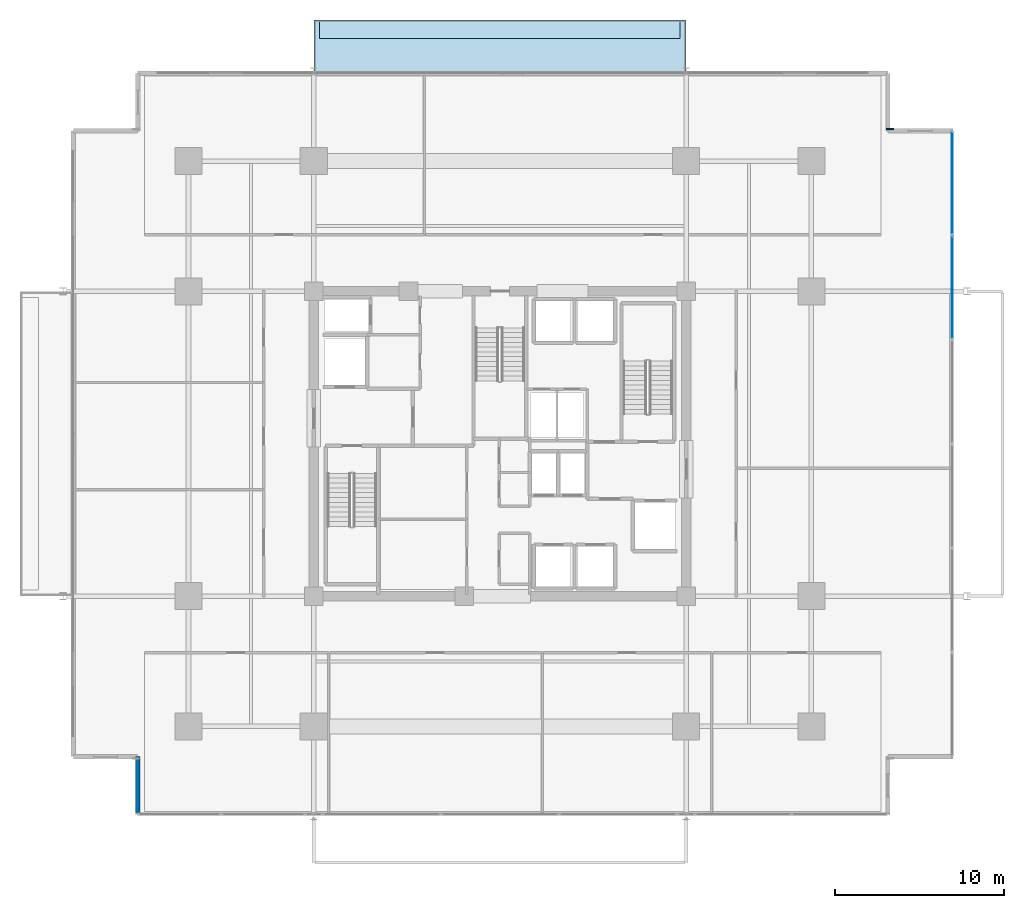
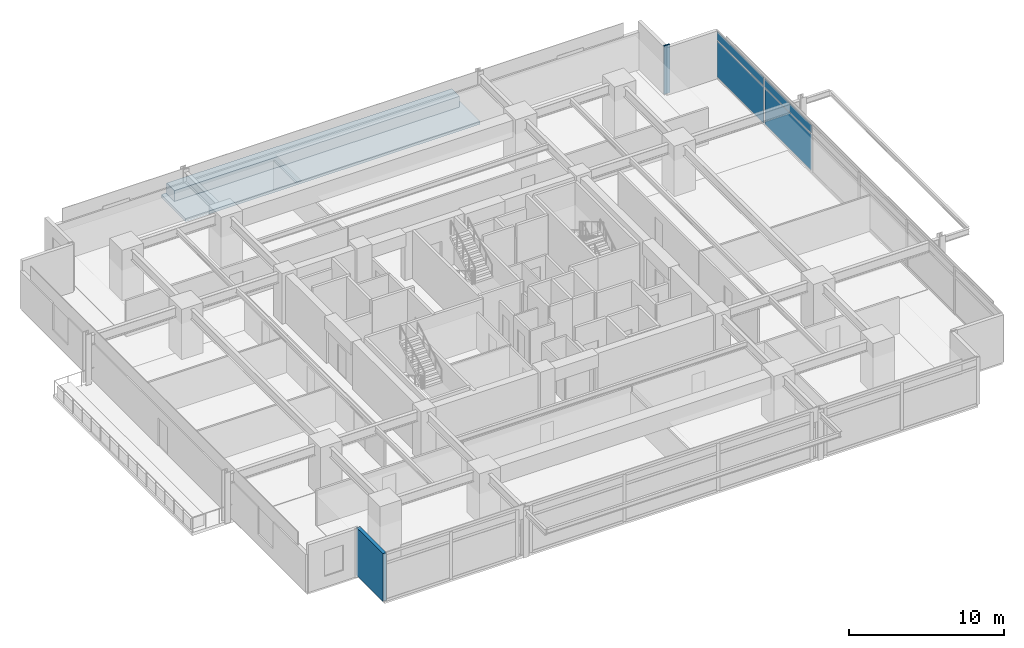
# One storey, part 15 of 23: 5 plates, 2 slabs, 1 wall, 1 element without a shape of its own.
"""IFC4 building model written with IfcOpenShell, lengths in metres."""

from ifc_helpers import new_model, si_unit, direction, frame, frame_2d, origin, origin_2d, place, context, subcontext, project, spatial, polyline, rectangle, outline, extrude, material, layer, layer_set, type_object, element, aggregate, save


model = new_model("IFC4")

# Units and contexts
model_context = context("Model", 3, precision=1e-05, world=origin(), true_north=direction((0.0, 1.0)))
body_context = subcontext(model_context, "Body", "Model", "MODEL_VIEW")
ifc_project = project(units=[si_unit("LENGTHUNIT", "METRE"), si_unit("AREAUNIT", "SQUARE_METRE"), si_unit("VOLUMEUNIT", "CUBIC_METRE"), si_unit("PLANEANGLEUNIT", "RADIAN"), si_unit("MASSUNIT", "GRAM", prefix="KILO")], contexts=[model_context])

# Site, building, storey
site_placement = place(None, origin())
site = spatial("IfcSite", under=ifc_project, at=site_placement, CompositionType="ELEMENT")
building_placement = place(site_placement, origin())
building = spatial("IfcBuilding", under=site, at=building_placement, Name="Kovane Verandah Tower", CompositionType="ELEMENT")
storey_placement = place(building_placement, frame((0.0, 0.0, 168.39990234375)))
storey = spatial("IfcBuildingStorey", under=building, at=storey_placement, Name="L39", CompositionType="ELEMENT", Elevation=168.39990234375)

# Curtain wall, plates
ifc_material_1 = material(Name="Champagne Anodised Aluminium Frame with Low-E Clear Laminated Glass", Category="aluminium")
curtain_wall_type = type_object("IfcCurtainWallType", Name="CW-SYS-03-MID", PredefinedType="NOTDEFINED", material=ifc_material_1)
curtain_wall_placement = place(storey_placement, origin())
curtain_wall = element("IfcCurtainWall", 1, at=curtain_wall_placement, inside=storey, type_object=curtain_wall_type, Name="L39 E Unitised Curtain Wall", PredefinedType="NOTDEFINED")
ifc_material_2 = material(Name="Pale Champagne Anodised Aluminium Insulated Spandrel", Category="aluminium")
ifc_layer_1 = layer(ifc_material_2, 0.0400390625)
ifc_layer_set_1 = layer_set([ifc_layer_1], Name="Pale Champagne Anodised Aluminium Insulated Spandrel")
plate_type_1 = type_object("IfcPlateType", Name="PL-CW-SPD-40", PredefinedType="SHEET", material=ifc_layer_set_1)
plate_1_placement = place(storey_placement, frame((66.7197265625, 36.7412109375, 3.044921875), z_axis=(0.0, 0.0, 1.0), x_axis=(0.0, 1.0, 0.0)))
plate_1 = element("IfcPlate", 2, at=plate_1_placement, type_object=plate_type_1, Name="L39 E Unitised Curtain Wall Spandrel Panel 5", PredefinedType="SHEET", context=body_context, shape_type="SweptSolid", body=[
    extrude(rectangle(XDim=6.020751953125, YDim=0.0400390625, at=origin_2d()), origin(), (0.0, 0.0, 1.0), 0.639892578125),
])
plate_2_placement = place(storey_placement, frame((66.7197265625, 42.90185546875, 3.044921875), z_axis=(0.0, 0.0, 1.0), x_axis=(0.0, 1.0, 0.0)))
plate_2 = element("IfcPlate", 3, at=plate_2_placement, type_object=plate_type_1, Name="L39 E Unitised Curtain Wall Spandrel Panel 6", PredefinedType="SHEET", context=body_context, shape_type="SweptSolid", body=[
    extrude(rectangle(XDim=6.020751953125, YDim=0.0400390625, at=origin_2d()), origin(), (0.0, 0.0, 1.0), 0.639892578125),
])
ifc_material_3 = material(Name="Clear Low-E Laminated Double Glazing", Category="glass")
ifc_layer_2 = layer(ifc_material_3, 0.031982421875)
ifc_layer_set_2 = layer_set([ifc_layer_2], Name="Clear Low-E Laminated Double Glazing")
plate_type_2 = type_object("IfcPlateType", Name="PL-CW-VIS-32", PredefinedType="CURTAIN_PANEL", material=ifc_layer_set_2)
plate_3_placement = place(storey_placement, frame((66.7197265625, 36.7412109375, 0.10009765625), z_axis=(0.0, 0.0, 1.0), x_axis=(0.0, 1.0, 0.0)))
plate_3 = element("IfcPlate", 4, at=plate_3_placement, type_object=plate_type_2, Name="L39 E Unitised Curtain Wall Vision Panel 5", PredefinedType="CURTAIN_PANEL", context=body_context, shape_type="SweptSolid", body=[
    extrude(rectangle(XDim=6.020751953125, YDim=0.031982421875, at=origin_2d()), origin(), (0.0, 0.0, 1.0), 2.844970703125),
])
plate_4_placement = place(storey_placement, frame((66.7197265625, 42.90185546875, 0.10009765625), z_axis=(0.0, 0.0, 1.0), x_axis=(0.0, 1.0, 0.0)))
plate_4 = element("IfcPlate", 5, at=plate_4_placement, type_object=plate_type_2, Name="L39 E Unitised Curtain Wall Vision Panel 6", PredefinedType="CURTAIN_PANEL", context=body_context, shape_type="SweptSolid", body=[
    extrude(rectangle(XDim=6.020751953125, YDim=0.031982421875, at=origin_2d()), origin(), (0.0, 0.0, 1.0), 2.844970703125),
])
aggregate(curtain_wall, [plate_3, plate_1, plate_4, plate_2])

# Plate
ifc_material_4 = material(Name="Timber-Toned Subtropical Aluminium Vertical Blade", Category="wood")
ifc_layer_3 = layer(ifc_material_4, 0.090087890625)
ifc_layer_set_3 = layer_set([ifc_layer_3], Name="Timber-Toned Subtropical Aluminium Vertical Blade")
plate_type_3 = type_object("IfcPlateType", Name="PL-FIN-90", PredefinedType="USERDEFINED", material=ifc_layer_set_3)
plate_5_placement = place(storey_placement, frame((63.039794921875, 46.102294921875, -0.019775390625), z_axis=(0.0, 0.0, 1.0), x_axis=(1.0, 0.0, 0.0)))
element("IfcPlate", 6, at=plate_5_placement, inside=storey, type_object=plate_type_3, Name="L39 NE Timber-Toned Vertical Corner Fin", ObjectType="FIN", PredefinedType="USERDEFINED", context=body_context, shape_type="SweptSolid", body=[
    extrude(rectangle(XDim=0.419921875, YDim=0.090087890625, at=origin_2d()), origin(), (0.0, 0.0, 1.0), 3.8349609375),
])

# Slabs
ifc_material_5 = material(Name="Concrete C45/55", Category="concrete")
ifc_layer_4 = layer(ifc_material_5, 0.239990234375)
ifc_layer_set_4 = layer_set([ifc_layer_4], Name="Concrete C45/55")
slab_type_1 = type_object("IfcSlabType", Name="SL-BALC-240", PredefinedType="FLOOR", material=ifc_layer_set_4)
slab_1_placement = place(storey_placement, frame((0.0, 0.0, -0.239990234375)))
element("IfcSlab", 7, at=slab_1_placement, inside=storey, type_object=slab_type_1, Name="L39 N Planted Verandah Balcony Slab", PredefinedType="FLOOR", context=body_context, shape_type="SweptSolid", body=[
    extrude(outline(polyline([(29.0, 49.382080078125), (51.0, 49.382080078125), (51.0, 52.5322265625), (29.0, 52.5322265625), (29.0, 49.382080078125)])), origin(), (0.0, 0.0, 1.0), 0.239990234375),
])
ifc_material_6 = material(Name="Architectural Precast Concrete C45/55 Planter Trough", Category="concrete")
ifc_layer_5 = layer(ifc_material_6, 0.219970703125)
ifc_layer_set_5 = layer_set([ifc_layer_5], Name="Architectural Precast Concrete C45/55 Planter Trough")
slab_type_2 = type_object("IfcSlabType", Name="SL-PLANTER-220", PredefinedType="USERDEFINED", material=ifc_layer_set_5)
slab_2_placement = place(storey_placement, origin())
element("IfcSlab", 8, at=slab_2_placement, inside=storey, type_object=slab_type_2, Name="L39 N Structural Tree Planter", ObjectType="PLANTER", PredefinedType="USERDEFINED", context=body_context, shape_type="SweptSolid", body=[
    extrude(outline(polyline([(29.35009765625, 51.43212890625), (50.64990234375, 51.43212890625), (50.64990234375, 52.43212890625), (29.35009765625, 52.43212890625), (29.35009765625, 51.43212890625)])), origin(), (0.0, 0.0, 1.0), 0.85009765625),
])

# Wall
ifc_material_7 = material(Name="Concrete C45/55 Insulated Spandrel Wall", Category="concrete")
ifc_layer_6 = layer(ifc_material_7, 0.260009765625)
ifc_layer_set_6 = layer_set([ifc_layer_6], Name="Concrete C45/55 Insulated Spandrel Wall")
wall_type = type_object("IfcWallType", Name="WL-SPANDREL-260", PredefinedType="PARAPET", material=ifc_layer_set_6)
wall_placement = place(storey_placement, frame((18.5966796875, 9.017822265625, 0.0), z_axis=(0.0, 0.0, 1.0), x_axis=(0.0, -1.0, 0.0)))
element("IfcWall", 9, at=wall_placement, inside=storey, type_object=wall_type, Name="L39 SW Notch Cheek Wall 2", PredefinedType="PARAPET", context=body_context, shape_type="SweptSolid", body=[
    extrude(rectangle(XDim=3.39990234375, YDim=0.260009765625, at=frame_2d((1.699951171875, 0.0))), origin(), (0.0, 0.0, 1.0), 3.775146484375),
])

save(model, "model.ifc")
